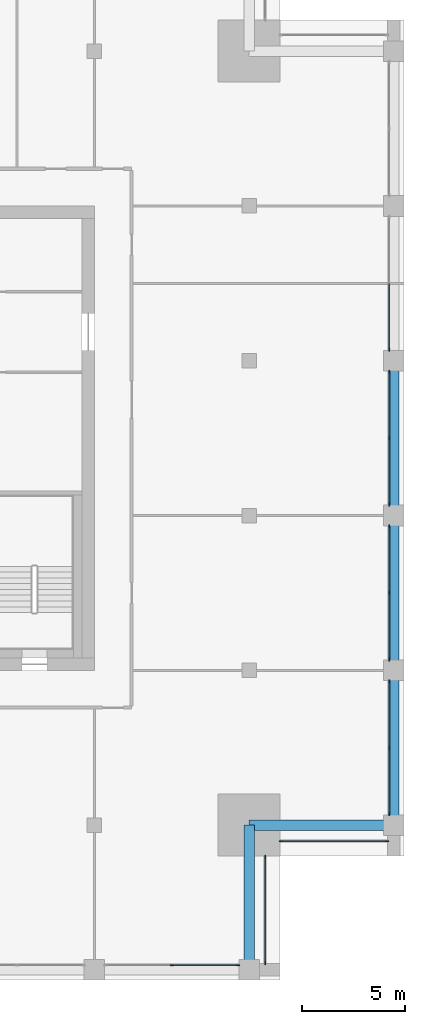
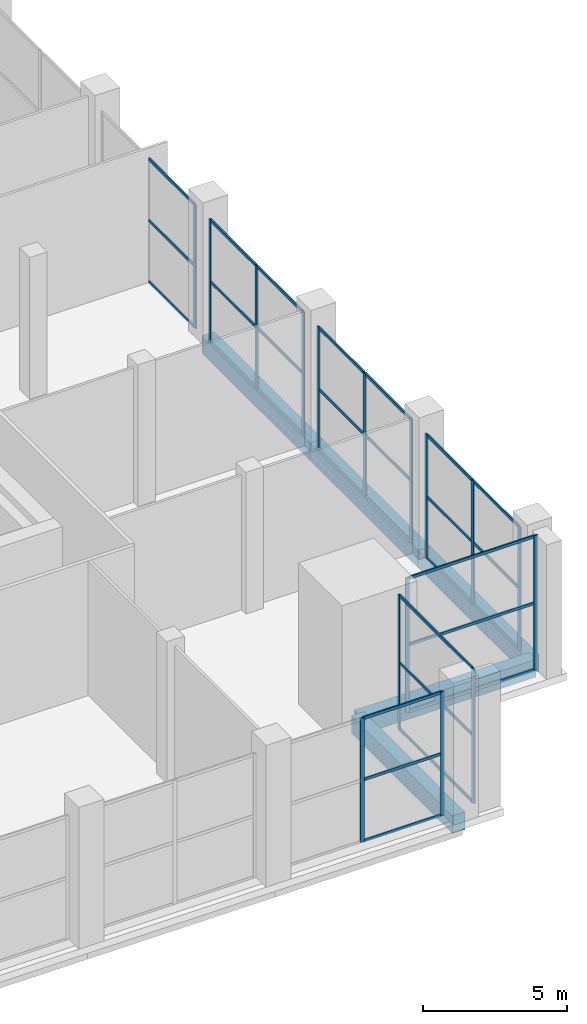
# One storey, part 4 of 15: 46 members, 5 beams, 7 elements without a shape of their own.
"""IFC4 building model written with IfcOpenShell, lengths in metres."""

from ifc_helpers import new_model, si_unit, direction, frame, origin, origin_2d, place, context, subcontext, project, spatial, rectangle, extrude, material, layer, layer_set, material_profile, profile_set, type_object, element, aggregate, save


model = new_model("IFC4")

# Units and contexts
model_context = context("Model", 3, precision=1e-05, world=origin(), true_north=direction((0.0, 1.0)))
body_context = subcontext(model_context, "Body", "Model", "MODEL_VIEW")
ifc_project = project(units=[si_unit("LENGTHUNIT", "METRE"), si_unit("AREAUNIT", "SQUARE_METRE"), si_unit("VOLUMEUNIT", "CUBIC_METRE"), si_unit("PLANEANGLEUNIT", "RADIAN"), si_unit("MASSUNIT", "GRAM", prefix="KILO")], contexts=[model_context])

# Site, building, storey
site_placement = place(None, origin())
site = spatial("IfcSite", under=ifc_project, at=site_placement, CompositionType="ELEMENT")
building_placement = place(site_placement, origin())
building = spatial("IfcBuilding", under=site, at=building_placement, Name="Tamorin Gate", CompositionType="ELEMENT")
storey_placement = place(building_placement, frame((0.0, 0.0, 302.699951171875)))
storey = spatial("IfcBuildingStorey", under=building, at=storey_placement, Name="L75", CompositionType="ELEMENT", Elevation=302.699951171875)

# Curtain wall, members
ifc_material_1 = material(Name="Aluminium mullions and transoms with clear glass", Category="aluminium")
ifc_layer = layer(ifc_material_1, 0.159912109375)
ifc_layer_set = layer_set([ifc_layer], Name="Curtain wall system CW4")
curtain_wall_type = type_object("IfcCurtainWallType", Name="Curtain wall system CW4", PredefinedType="NOTDEFINED", material=ifc_layer_set)
curtain_wall_1_placement = place(storey_placement, origin())
curtain_wall_1 = element("IfcCurtainWall", 1, at=curtain_wall_1_placement, inside=storey, type_object=curtain_wall_type, Name="Curtain wall", PredefinedType="NOTDEFINED")
ifc_material_2 = material(Name="Aluminium", Category="aluminium")
ifc_material_profile_1 = material_profile(ifc_material_2, rectangle(XDim=0.06005859375, YDim=0.159912109375, at=origin_2d()), Name="RECT 60x160")
ifc_profile_set_1 = profile_set([ifc_material_profile_1], Name="Aluminium")
member_type_1 = type_object("IfcMemberType", Name="Aluminium mullion 60x160", PredefinedType="MULLION", material=ifc_profile_set_1)
member_1_placement = place(storey_placement, frame((63.75, 45.719970703125, 0.0), z_axis=(0.0, 0.0, 1.0), x_axis=(0.0, 1.0, 0.0)))
member_1 = element("IfcMember", 2, at=member_1_placement, type_object=member_type_1, Name="CW4 mullion 2", PredefinedType="MULLION", context=body_context, shape_type="SweptSolid", body=[
    extrude(rectangle(XDim=0.06005859375, YDim=0.159912109375, at=origin_2d()), origin(), (0.0, 0.0, 1.0), 5.25),
])
member_2_placement = place(storey_placement, frame((66.969970703125, 45.719970703125, 0.0), z_axis=(0.0, 0.0, 1.0), x_axis=(0.0, 1.0, 0.0)))
member_2 = element("IfcMember", 3, at=member_2_placement, type_object=member_type_1, Name="CW4 mullion 3", PredefinedType="MULLION", context=body_context, shape_type="SweptSolid", body=[
    extrude(rectangle(XDim=0.06005859375, YDim=0.159912109375, at=origin_2d()), origin(), (0.0, 0.0, 1.0), 5.25),
])

curtain_wall_2_placement = place(storey_placement, origin())
curtain_wall_2 = element("IfcCurtainWall", 4, at=curtain_wall_2_placement, inside=storey, type_object=curtain_wall_type, Name="Curtain wall", PredefinedType="NOTDEFINED")
member_3_placement = place(storey_placement, frame((68.280029296875, 45.830078125, 0.0), z_axis=(0.0, 0.0, 1.0), x_axis=(-1.0, 0.0, 0.0)))
member_3 = element("IfcMember", 5, at=member_3_placement, type_object=member_type_1, Name="CW4 mullion 1", PredefinedType="MULLION", context=body_context, shape_type="SweptSolid", body=[
    extrude(rectangle(XDim=0.06005859375, YDim=0.159912109375, at=origin_2d()), origin(), (0.0, 0.0, 1.0), 5.699951171875),
])
member_4_placement = place(storey_placement, frame((68.280029296875, 50.969970703125, 0.0), z_axis=(0.0, 0.0, 1.0), x_axis=(-1.0, 0.0, 0.0)))
member_4 = element("IfcMember", 6, at=member_4_placement, type_object=member_type_1, Name="CW4 mullion 2", PredefinedType="MULLION", context=body_context, shape_type="SweptSolid", body=[
    extrude(rectangle(XDim=0.06005859375, YDim=0.159912109375, at=origin_2d()), origin(), (0.0, 0.0, 1.0), 5.699951171875),
])

curtain_wall_3_placement = place(storey_placement, origin())
curtain_wall_3 = element("IfcCurtainWall", 7, at=curtain_wall_3_placement, inside=storey, type_object=curtain_wall_type, Name="Curtain wall", PredefinedType="NOTDEFINED")
member_5_placement = place(storey_placement, frame((69.030029296875, 51.719970703125, 0.0), z_axis=(0.0, 0.0, 1.0), x_axis=(0.0, 1.0, 0.0)))
member_5 = element("IfcMember", 8, at=member_5_placement, type_object=member_type_1, Name="CW4 mullion 1", PredefinedType="MULLION", context=body_context, shape_type="SweptSolid", body=[
    extrude(rectangle(XDim=0.06005859375, YDim=0.159912109375, at=origin_2d()), origin(), (0.0, 0.0, 1.0), 5.699951171875),
])
member_6_placement = place(storey_placement, frame((74.169921875, 51.719970703125, 0.0), z_axis=(0.0, 0.0, 1.0), x_axis=(0.0, 1.0, 0.0)))
member_6 = element("IfcMember", 9, at=member_6_placement, type_object=member_type_1, Name="CW4 mullion 2", PredefinedType="MULLION", context=body_context, shape_type="SweptSolid", body=[
    extrude(rectangle(XDim=0.06005859375, YDim=0.159912109375, at=origin_2d()), origin(), (0.0, 0.0, 1.0), 5.699951171875),
])

curtain_wall_4_placement = place(storey_placement, origin())
curtain_wall_4 = element("IfcCurtainWall", 10, at=curtain_wall_4_placement, inside=storey, type_object=curtain_wall_type, Name="Curtain wall", PredefinedType="NOTDEFINED")
member_7_placement = place(storey_placement, frame((74.280029296875, 53.030029296875, 0.0), z_axis=(0.0, 0.0, 1.0), x_axis=(-1.0, 0.0, 0.0)))
member_7 = element("IfcMember", 11, at=member_7_placement, type_object=member_type_1, Name="CW4 mullion 1", PredefinedType="MULLION", context=body_context, shape_type="SweptSolid", body=[
    extrude(rectangle(XDim=0.06005859375, YDim=0.159912109375, at=origin_2d()), origin(), (0.0, 0.0, 1.0), 5.25),
])
member_8_placement = place(storey_placement, frame((74.280029296875, 56.25, 0.0), z_axis=(0.0, 0.0, 1.0), x_axis=(-1.0, 0.0, 0.0)))
member_8 = element("IfcMember", 12, at=member_8_placement, type_object=member_type_1, Name="CW4 mullion 2", PredefinedType="MULLION", context=body_context, shape_type="SweptSolid", body=[
    extrude(rectangle(XDim=0.06005859375, YDim=0.159912109375, at=origin_2d()), origin(), (0.0, 0.0, 1.0), 5.25),
])
member_9_placement = place(storey_placement, frame((74.280029296875, 59.469970703125, 0.0), z_axis=(0.0, 0.0, 1.0), x_axis=(-1.0, 0.0, 0.0)))
member_9 = element("IfcMember", 13, at=member_9_placement, type_object=member_type_1, Name="CW4 mullion 3", PredefinedType="MULLION", context=body_context, shape_type="SweptSolid", body=[
    extrude(rectangle(XDim=0.06005859375, YDim=0.159912109375, at=origin_2d()), origin(), (0.0, 0.0, 1.0), 5.25),
])

curtain_wall_5_placement = place(storey_placement, origin())
curtain_wall_5 = element("IfcCurtainWall", 14, at=curtain_wall_5_placement, inside=storey, type_object=curtain_wall_type, Name="Curtain wall", PredefinedType="NOTDEFINED")
member_10_placement = place(storey_placement, frame((74.280029296875, 60.530029296875, 0.0), z_axis=(0.0, 0.0, 1.0), x_axis=(-1.0, 0.0, 0.0)))
member_10 = element("IfcMember", 15, at=member_10_placement, type_object=member_type_1, Name="CW4 mullion 1", PredefinedType="MULLION", context=body_context, shape_type="SweptSolid", body=[
    extrude(rectangle(XDim=0.06005859375, YDim=0.159912109375, at=origin_2d()), origin(), (0.0, 0.0, 1.0), 5.25),
])
member_11_placement = place(storey_placement, frame((74.280029296875, 63.75, 0.0), z_axis=(0.0, 0.0, 1.0), x_axis=(-1.0, 0.0, 0.0)))
member_11 = element("IfcMember", 16, at=member_11_placement, type_object=member_type_1, Name="CW4 mullion 2", PredefinedType="MULLION", context=body_context, shape_type="SweptSolid", body=[
    extrude(rectangle(XDim=0.06005859375, YDim=0.159912109375, at=origin_2d()), origin(), (0.0, 0.0, 1.0), 5.25),
])
member_12_placement = place(storey_placement, frame((74.280029296875, 66.969970703125, 0.0), z_axis=(0.0, 0.0, 1.0), x_axis=(-1.0, 0.0, 0.0)))
member_12 = element("IfcMember", 17, at=member_12_placement, type_object=member_type_1, Name="CW4 mullion 3", PredefinedType="MULLION", context=body_context, shape_type="SweptSolid", body=[
    extrude(rectangle(XDim=0.06005859375, YDim=0.159912109375, at=origin_2d()), origin(), (0.0, 0.0, 1.0), 5.25),
])

curtain_wall_6_placement = place(storey_placement, origin())
curtain_wall_6 = element("IfcCurtainWall", 18, at=curtain_wall_6_placement, inside=storey, type_object=curtain_wall_type, Name="Curtain wall", PredefinedType="NOTDEFINED")
member_13_placement = place(storey_placement, frame((74.280029296875, 68.030029296875, 0.0), z_axis=(0.0, 0.0, 1.0), x_axis=(-1.0, 0.0, 0.0)))
member_13 = element("IfcMember", 19, at=member_13_placement, type_object=member_type_1, Name="CW4 mullion 1", PredefinedType="MULLION", context=body_context, shape_type="SweptSolid", body=[
    extrude(rectangle(XDim=0.06005859375, YDim=0.159912109375, at=origin_2d()), origin(), (0.0, 0.0, 1.0), 5.25),
])
member_14_placement = place(storey_placement, frame((74.280029296875, 71.25, 0.0), z_axis=(0.0, 0.0, 1.0), x_axis=(-1.0, 0.0, 0.0)))
member_14 = element("IfcMember", 20, at=member_14_placement, type_object=member_type_1, Name="CW4 mullion 2", PredefinedType="MULLION", context=body_context, shape_type="SweptSolid", body=[
    extrude(rectangle(XDim=0.06005859375, YDim=0.159912109375, at=origin_2d()), origin(), (0.0, 0.0, 1.0), 5.25),
])
member_15_placement = place(storey_placement, frame((74.280029296875, 74.469970703125, 0.0), z_axis=(0.0, 0.0, 1.0), x_axis=(-1.0, 0.0, 0.0)))
member_15 = element("IfcMember", 21, at=member_15_placement, type_object=member_type_1, Name="CW4 mullion 3", PredefinedType="MULLION", context=body_context, shape_type="SweptSolid", body=[
    extrude(rectangle(XDim=0.06005859375, YDim=0.159912109375, at=origin_2d()), origin(), (0.0, 0.0, 1.0), 5.25),
])

# Curtain wall, member
curtain_wall_7_placement = place(storey_placement, origin())
curtain_wall_7 = element("IfcCurtainWall", 22, at=curtain_wall_7_placement, inside=storey, type_object=curtain_wall_type, Name="Curtain wall", PredefinedType="NOTDEFINED")
member_16_placement = place(storey_placement, frame((74.280029296875, 75.530029296875, 0.0), z_axis=(0.0, 0.0, 1.0), x_axis=(-1.0, 0.0, 0.0)))
member_16 = element("IfcMember", 23, at=member_16_placement, type_object=member_type_1, Name="CW4 mullion 1", PredefinedType="MULLION", context=body_context, shape_type="SweptSolid", body=[
    extrude(rectangle(XDim=0.06005859375, YDim=0.159912109375, at=origin_2d()), origin(), (0.0, 0.0, 1.0), 5.25),
])

# Member
ifc_material_profile_2 = material_profile(ifc_material_2, rectangle(XDim=0.06005859375, YDim=0.1201171875, at=origin_2d()), Name="RECT 60x120")
ifc_profile_set_2 = profile_set([ifc_material_profile_2], Name="Aluminium")
member_type_2 = type_object("IfcMemberType", Name="Aluminium transom 60x120", PredefinedType="USERDEFINED", material=ifc_profile_set_2)
member_17_placement = place(storey_placement, frame((63.780029296875, 45.719970703125, 0.030029296875), z_axis=(1.0, 0.0, 0.0), x_axis=(0.0, 1.0, 0.0)))
member_17 = element("IfcMember", 24, at=member_17_placement, type_object=member_type_2, Name="CW4 transom 2.1", ObjectType="TRANSOM", PredefinedType="USERDEFINED", context=body_context, shape_type="SweptSolid", body=[
    extrude(rectangle(XDim=0.06005859375, YDim=0.1201171875, at=origin_2d()), origin(), (0.0, 0.0, 1.0), 3.159912109375),
])

member_18_placement = place(storey_placement, frame((63.780029296875, 45.719970703125, 2.625), z_axis=(1.0, 0.0, 0.0), x_axis=(0.0, 1.0, 0.0)))
member_18 = element("IfcMember", 25, at=member_18_placement, type_object=member_type_2, Name="CW4 transom 2.2", ObjectType="TRANSOM", PredefinedType="USERDEFINED", context=body_context, shape_type="SweptSolid", body=[
    extrude(rectangle(XDim=0.06005859375, YDim=0.1201171875, at=origin_2d()), origin(), (0.0, 0.0, 1.0), 3.159912109375),
])

member_19_placement = place(storey_placement, frame((63.780029296875, 45.719970703125, 5.219970703125), z_axis=(1.0, 0.0, 0.0), x_axis=(0.0, 1.0, 0.0)))
member_19 = element("IfcMember", 26, at=member_19_placement, type_object=member_type_2, Name="CW4 transom 2.3", ObjectType="TRANSOM", PredefinedType="USERDEFINED", context=body_context, shape_type="SweptSolid", body=[
    extrude(rectangle(XDim=0.06005859375, YDim=0.1201171875, at=origin_2d()), origin(), (0.0, 0.0, 1.0), 3.159912109375),
])

aggregate(curtain_wall_1, [member_1, member_2, member_17, member_18, member_19])

member_20_placement = place(storey_placement, frame((68.280029296875, 45.860107421875, 0.030029296875), z_axis=(0.0, 1.0, 0.0), x_axis=(-1.0, 0.0, 0.0)))
member_20 = element("IfcMember", 27, at=member_20_placement, type_object=member_type_2, Name="CW4 transom 1.1", ObjectType="TRANSOM", PredefinedType="USERDEFINED", context=body_context, shape_type="SweptSolid", body=[
    extrude(rectangle(XDim=0.06005859375, YDim=0.1201171875, at=origin_2d()), origin(), (0.0, 0.0, 1.0), 5.079833984375),
])

member_21_placement = place(storey_placement, frame((68.280029296875, 45.860107421875, 2.85009765625), z_axis=(0.0, 1.0, 0.0), x_axis=(-1.0, 0.0, 0.0)))
member_21 = element("IfcMember", 28, at=member_21_placement, type_object=member_type_2, Name="CW4 transom 1.2", ObjectType="TRANSOM", PredefinedType="USERDEFINED", context=body_context, shape_type="SweptSolid", body=[
    extrude(rectangle(XDim=0.06005859375, YDim=0.1201171875, at=origin_2d()), origin(), (0.0, 0.0, 1.0), 5.079833984375),
])

member_22_placement = place(storey_placement, frame((68.280029296875, 45.860107421875, 5.670166015625), z_axis=(0.0, 1.0, 0.0), x_axis=(-1.0, 0.0, 0.0)))
member_22 = element("IfcMember", 29, at=member_22_placement, type_object=member_type_2, Name="CW4 transom 1.3", ObjectType="TRANSOM", PredefinedType="USERDEFINED", context=body_context, shape_type="SweptSolid", body=[
    extrude(rectangle(XDim=0.06005859375, YDim=0.1201171875, at=origin_2d()), origin(), (0.0, 0.0, 1.0), 5.079833984375),
])

aggregate(curtain_wall_2, [member_3, member_4, member_20, member_21, member_22])

member_23_placement = place(storey_placement, frame((69.06005859375, 51.719970703125, 0.030029296875), z_axis=(1.0, 0.0, 0.0), x_axis=(0.0, 1.0, 0.0)))
member_23 = element("IfcMember", 30, at=member_23_placement, type_object=member_type_2, Name="CW4 transom 1.1", ObjectType="TRANSOM", PredefinedType="USERDEFINED", context=body_context, shape_type="SweptSolid", body=[
    extrude(rectangle(XDim=0.06005859375, YDim=0.1201171875, at=origin_2d()), origin(), (0.0, 0.0, 1.0), 5.079833984375),
])

member_24_placement = place(storey_placement, frame((69.06005859375, 51.719970703125, 2.85009765625), z_axis=(1.0, 0.0, 0.0), x_axis=(0.0, 1.0, 0.0)))
member_24 = element("IfcMember", 31, at=member_24_placement, type_object=member_type_2, Name="CW4 transom 1.2", ObjectType="TRANSOM", PredefinedType="USERDEFINED", context=body_context, shape_type="SweptSolid", body=[
    extrude(rectangle(XDim=0.06005859375, YDim=0.1201171875, at=origin_2d()), origin(), (0.0, 0.0, 1.0), 5.079833984375),
])

member_25_placement = place(storey_placement, frame((69.06005859375, 51.719970703125, 5.670166015625), z_axis=(1.0, 0.0, 0.0), x_axis=(0.0, 1.0, 0.0)))
member_25 = element("IfcMember", 32, at=member_25_placement, type_object=member_type_2, Name="CW4 transom 1.3", ObjectType="TRANSOM", PredefinedType="USERDEFINED", context=body_context, shape_type="SweptSolid", body=[
    extrude(rectangle(XDim=0.06005859375, YDim=0.1201171875, at=origin_2d()), origin(), (0.0, 0.0, 1.0), 5.079833984375),
])

aggregate(curtain_wall_3, [member_5, member_6, member_23, member_24, member_25])

member_26_placement = place(storey_placement, frame((74.280029296875, 53.06005859375, 0.030029296875), z_axis=(0.0, 1.0, 0.0), x_axis=(-1.0, 0.0, 0.0)))
member_26 = element("IfcMember", 33, at=member_26_placement, type_object=member_type_2, Name="CW4 transom 1.1", ObjectType="TRANSOM", PredefinedType="USERDEFINED", context=body_context, shape_type="SweptSolid", body=[
    extrude(rectangle(XDim=0.06005859375, YDim=0.1201171875, at=origin_2d()), origin(), (0.0, 0.0, 1.0), 3.159912109375),
])

member_27_placement = place(storey_placement, frame((74.280029296875, 53.06005859375, 2.625), z_axis=(0.0, 1.0, 0.0), x_axis=(-1.0, 0.0, 0.0)))
member_27 = element("IfcMember", 34, at=member_27_placement, type_object=member_type_2, Name="CW4 transom 1.2", ObjectType="TRANSOM", PredefinedType="USERDEFINED", context=body_context, shape_type="SweptSolid", body=[
    extrude(rectangle(XDim=0.06005859375, YDim=0.1201171875, at=origin_2d()), origin(), (0.0, 0.0, 1.0), 3.159912109375),
])

member_28_placement = place(storey_placement, frame((74.280029296875, 53.06005859375, 5.219970703125), z_axis=(0.0, 1.0, 0.0), x_axis=(-1.0, 0.0, 0.0)))
member_28 = element("IfcMember", 35, at=member_28_placement, type_object=member_type_2, Name="CW4 transom 1.3", ObjectType="TRANSOM", PredefinedType="USERDEFINED", context=body_context, shape_type="SweptSolid", body=[
    extrude(rectangle(XDim=0.06005859375, YDim=0.1201171875, at=origin_2d()), origin(), (0.0, 0.0, 1.0), 3.159912109375),
])

member_29_placement = place(storey_placement, frame((74.280029296875, 56.280029296875, 0.030029296875), z_axis=(0.0, 1.0, 0.0), x_axis=(-1.0, 0.0, 0.0)))
member_29 = element("IfcMember", 36, at=member_29_placement, type_object=member_type_2, Name="CW4 transom 2.1", ObjectType="TRANSOM", PredefinedType="USERDEFINED", context=body_context, shape_type="SweptSolid", body=[
    extrude(rectangle(XDim=0.06005859375, YDim=0.1201171875, at=origin_2d()), origin(), (0.0, 0.0, 1.0), 3.159912109375),
])

member_30_placement = place(storey_placement, frame((74.280029296875, 56.280029296875, 2.625), z_axis=(0.0, 1.0, 0.0), x_axis=(-1.0, 0.0, 0.0)))
member_30 = element("IfcMember", 37, at=member_30_placement, type_object=member_type_2, Name="CW4 transom 2.2", ObjectType="TRANSOM", PredefinedType="USERDEFINED", context=body_context, shape_type="SweptSolid", body=[
    extrude(rectangle(XDim=0.06005859375, YDim=0.1201171875, at=origin_2d()), origin(), (0.0, 0.0, 1.0), 3.159912109375),
])

member_31_placement = place(storey_placement, frame((74.280029296875, 56.280029296875, 5.219970703125), z_axis=(0.0, 1.0, 0.0), x_axis=(-1.0, 0.0, 0.0)))
member_31 = element("IfcMember", 38, at=member_31_placement, type_object=member_type_2, Name="CW4 transom 2.3", ObjectType="TRANSOM", PredefinedType="USERDEFINED", context=body_context, shape_type="SweptSolid", body=[
    extrude(rectangle(XDim=0.06005859375, YDim=0.1201171875, at=origin_2d()), origin(), (0.0, 0.0, 1.0), 3.159912109375),
])

aggregate(curtain_wall_4, [member_7, member_8, member_9, member_26, member_27, member_28, member_29, member_30, member_31])

member_32_placement = place(storey_placement, frame((74.280029296875, 60.56005859375, 0.030029296875), z_axis=(0.0, 1.0, 0.0), x_axis=(-1.0, 0.0, 0.0)))
member_32 = element("IfcMember", 39, at=member_32_placement, type_object=member_type_2, Name="CW4 transom 1.1", ObjectType="TRANSOM", PredefinedType="USERDEFINED", context=body_context, shape_type="SweptSolid", body=[
    extrude(rectangle(XDim=0.06005859375, YDim=0.1201171875, at=origin_2d()), origin(), (0.0, 0.0, 1.0), 3.159912109375),
])

member_33_placement = place(storey_placement, frame((74.280029296875, 60.56005859375, 2.625), z_axis=(0.0, 1.0, 0.0), x_axis=(-1.0, 0.0, 0.0)))
member_33 = element("IfcMember", 40, at=member_33_placement, type_object=member_type_2, Name="CW4 transom 1.2", ObjectType="TRANSOM", PredefinedType="USERDEFINED", context=body_context, shape_type="SweptSolid", body=[
    extrude(rectangle(XDim=0.06005859375, YDim=0.1201171875, at=origin_2d()), origin(), (0.0, 0.0, 1.0), 3.159912109375),
])

member_34_placement = place(storey_placement, frame((74.280029296875, 60.56005859375, 5.219970703125), z_axis=(0.0, 1.0, 0.0), x_axis=(-1.0, 0.0, 0.0)))
member_34 = element("IfcMember", 41, at=member_34_placement, type_object=member_type_2, Name="CW4 transom 1.3", ObjectType="TRANSOM", PredefinedType="USERDEFINED", context=body_context, shape_type="SweptSolid", body=[
    extrude(rectangle(XDim=0.06005859375, YDim=0.1201171875, at=origin_2d()), origin(), (0.0, 0.0, 1.0), 3.159912109375),
])

member_35_placement = place(storey_placement, frame((74.280029296875, 63.780029296875, 0.030029296875), z_axis=(0.0, 1.0, 0.0), x_axis=(-1.0, 0.0, 0.0)))
member_35 = element("IfcMember", 42, at=member_35_placement, type_object=member_type_2, Name="CW4 transom 2.1", ObjectType="TRANSOM", PredefinedType="USERDEFINED", context=body_context, shape_type="SweptSolid", body=[
    extrude(rectangle(XDim=0.06005859375, YDim=0.1201171875, at=origin_2d()), origin(), (0.0, 0.0, 1.0), 3.159912109375),
])

member_36_placement = place(storey_placement, frame((74.280029296875, 63.780029296875, 2.625), z_axis=(0.0, 1.0, 0.0), x_axis=(-1.0, 0.0, 0.0)))
member_36 = element("IfcMember", 43, at=member_36_placement, type_object=member_type_2, Name="CW4 transom 2.2", ObjectType="TRANSOM", PredefinedType="USERDEFINED", context=body_context, shape_type="SweptSolid", body=[
    extrude(rectangle(XDim=0.06005859375, YDim=0.1201171875, at=origin_2d()), origin(), (0.0, 0.0, 1.0), 3.159912109375),
])

member_37_placement = place(storey_placement, frame((74.280029296875, 63.780029296875, 5.219970703125), z_axis=(0.0, 1.0, 0.0), x_axis=(-1.0, 0.0, 0.0)))
member_37 = element("IfcMember", 44, at=member_37_placement, type_object=member_type_2, Name="CW4 transom 2.3", ObjectType="TRANSOM", PredefinedType="USERDEFINED", context=body_context, shape_type="SweptSolid", body=[
    extrude(rectangle(XDim=0.06005859375, YDim=0.1201171875, at=origin_2d()), origin(), (0.0, 0.0, 1.0), 3.159912109375),
])

aggregate(curtain_wall_5, [member_10, member_11, member_12, member_32, member_33, member_34, member_35, member_36, member_37])

member_38_placement = place(storey_placement, frame((74.280029296875, 68.06005859375, 0.030029296875), z_axis=(0.0, 1.0, 0.0), x_axis=(-1.0, 0.0, 0.0)))
member_38 = element("IfcMember", 45, at=member_38_placement, type_object=member_type_2, Name="CW4 transom 1.1", ObjectType="TRANSOM", PredefinedType="USERDEFINED", context=body_context, shape_type="SweptSolid", body=[
    extrude(rectangle(XDim=0.06005859375, YDim=0.1201171875, at=origin_2d()), origin(), (0.0, 0.0, 1.0), 3.159912109375),
])

member_39_placement = place(storey_placement, frame((74.280029296875, 68.06005859375, 2.625), z_axis=(0.0, 1.0, 0.0), x_axis=(-1.0, 0.0, 0.0)))
member_39 = element("IfcMember", 46, at=member_39_placement, type_object=member_type_2, Name="CW4 transom 1.2", ObjectType="TRANSOM", PredefinedType="USERDEFINED", context=body_context, shape_type="SweptSolid", body=[
    extrude(rectangle(XDim=0.06005859375, YDim=0.1201171875, at=origin_2d()), origin(), (0.0, 0.0, 1.0), 3.159912109375),
])

member_40_placement = place(storey_placement, frame((74.280029296875, 68.06005859375, 5.219970703125), z_axis=(0.0, 1.0, 0.0), x_axis=(-1.0, 0.0, 0.0)))
member_40 = element("IfcMember", 47, at=member_40_placement, type_object=member_type_2, Name="CW4 transom 1.3", ObjectType="TRANSOM", PredefinedType="USERDEFINED", context=body_context, shape_type="SweptSolid", body=[
    extrude(rectangle(XDim=0.06005859375, YDim=0.1201171875, at=origin_2d()), origin(), (0.0, 0.0, 1.0), 3.159912109375),
])

member_41_placement = place(storey_placement, frame((74.280029296875, 71.280029296875, 0.030029296875), z_axis=(0.0, 1.0, 0.0), x_axis=(-1.0, 0.0, 0.0)))
member_41 = element("IfcMember", 48, at=member_41_placement, type_object=member_type_2, Name="CW4 transom 2.1", ObjectType="TRANSOM", PredefinedType="USERDEFINED", context=body_context, shape_type="SweptSolid", body=[
    extrude(rectangle(XDim=0.06005859375, YDim=0.1201171875, at=origin_2d()), origin(), (0.0, 0.0, 1.0), 3.159912109375),
])

member_42_placement = place(storey_placement, frame((74.280029296875, 71.280029296875, 2.625), z_axis=(0.0, 1.0, 0.0), x_axis=(-1.0, 0.0, 0.0)))
member_42 = element("IfcMember", 49, at=member_42_placement, type_object=member_type_2, Name="CW4 transom 2.2", ObjectType="TRANSOM", PredefinedType="USERDEFINED", context=body_context, shape_type="SweptSolid", body=[
    extrude(rectangle(XDim=0.06005859375, YDim=0.1201171875, at=origin_2d()), origin(), (0.0, 0.0, 1.0), 3.159912109375),
])

member_43_placement = place(storey_placement, frame((74.280029296875, 71.280029296875, 5.219970703125), z_axis=(0.0, 1.0, 0.0), x_axis=(-1.0, 0.0, 0.0)))
member_43 = element("IfcMember", 50, at=member_43_placement, type_object=member_type_2, Name="CW4 transom 2.3", ObjectType="TRANSOM", PredefinedType="USERDEFINED", context=body_context, shape_type="SweptSolid", body=[
    extrude(rectangle(XDim=0.06005859375, YDim=0.1201171875, at=origin_2d()), origin(), (0.0, 0.0, 1.0), 3.159912109375),
])

aggregate(curtain_wall_6, [member_13, member_14, member_15, member_38, member_39, member_40, member_41, member_42, member_43])

member_44_placement = place(storey_placement, frame((74.280029296875, 75.56005859375, 0.030029296875), z_axis=(0.0, 1.0, 0.0), x_axis=(-1.0, 0.0, 0.0)))
member_44 = element("IfcMember", 51, at=member_44_placement, type_object=member_type_2, Name="CW4 transom 1.1", ObjectType="TRANSOM", PredefinedType="USERDEFINED", context=body_context, shape_type="SweptSolid", body=[
    extrude(rectangle(XDim=0.06005859375, YDim=0.1201171875, at=origin_2d()), origin(), (0.0, 0.0, 1.0), 3.159912109375),
])

member_45_placement = place(storey_placement, frame((74.280029296875, 75.56005859375, 2.625), z_axis=(0.0, 1.0, 0.0), x_axis=(-1.0, 0.0, 0.0)))
member_45 = element("IfcMember", 52, at=member_45_placement, type_object=member_type_2, Name="CW4 transom 1.2", ObjectType="TRANSOM", PredefinedType="USERDEFINED", context=body_context, shape_type="SweptSolid", body=[
    extrude(rectangle(XDim=0.06005859375, YDim=0.1201171875, at=origin_2d()), origin(), (0.0, 0.0, 1.0), 3.159912109375),
])

member_46_placement = place(storey_placement, frame((74.280029296875, 75.56005859375, 5.219970703125), z_axis=(0.0, 1.0, 0.0), x_axis=(-1.0, 0.0, 0.0)))
member_46 = element("IfcMember", 53, at=member_46_placement, type_object=member_type_2, Name="CW4 transom 1.3", ObjectType="TRANSOM", PredefinedType="USERDEFINED", context=body_context, shape_type="SweptSolid", body=[
    extrude(rectangle(XDim=0.06005859375, YDim=0.1201171875, at=origin_2d()), origin(), (0.0, 0.0, 1.0), 3.159912109375),
])

aggregate(curtain_wall_7, [member_16, member_44, member_45, member_46])

# Beams
ifc_material_3 = material(Name="Concrete C50/60", Category="concrete")
ifc_material_profile_3 = material_profile(ifc_material_3, rectangle(XDim=0.5, YDim=0.75, at=origin_2d()), Name="RC 500x750")
ifc_profile_set_3 = profile_set([ifc_material_profile_3], Name="Concrete C50/60")
beam_type = type_object("IfcBeamType", Name="RC spandrel 500x750 C50/60", PredefinedType="BEAM", material=ifc_profile_set_3)
for number, where, z_axis, x_axis, name in (
    (54, (74.5, 52.5, -0.375), (0.0, 1.0, 0.0), (-1.0, 0.0, 0.0), "Spandrel beam L75"),
    (55, (74.5, 60.0, -0.375), (0.0, 1.0, 0.0), (-1.0, 0.0, 0.0), "Spandrel beam L75"),
    (56, (74.5, 67.5, -0.375), (0.0, 1.0, 0.0), (-1.0, 0.0, 0.0), "Spandrel beam L75"),
):
    element("IfcBeam", number, at=place(storey_placement, frame(where, z_axis=z_axis, x_axis=x_axis)), inside=storey, type_object=beam_type, Name=name, PredefinedType="BEAM", context=body_context, shape_type="SweptSolid", body=[
        extrude(rectangle(XDim=0.5, YDim=0.75, at=origin_2d()), origin(), (0.0, 0.0, 1.0), 7.5),
    ])
for number, where, z_axis, x_axis, name in (
    (57, (67.5, 52.5, -0.375), (0.0, -1.0, 0.0), (1.0, 0.0, 0.0), "Corner tie beam L75"),
    (58, (67.5, 52.5, -0.375), (1.0, 0.0, 0.0), (0.0, 1.0, 0.0), "Corner tie beam L75"),
):
    element("IfcBeam", number, at=place(storey_placement, frame(where, z_axis=z_axis, x_axis=x_axis)), inside=storey, type_object=beam_type, Name=name, PredefinedType="BEAM", context=body_context, shape_type="SweptSolid", body=[
        extrude(rectangle(XDim=0.5, YDim=0.75, at=origin_2d()), origin(), (0.0, 0.0, 1.0), 7.0),
    ])

save(model, "model.ifc")
